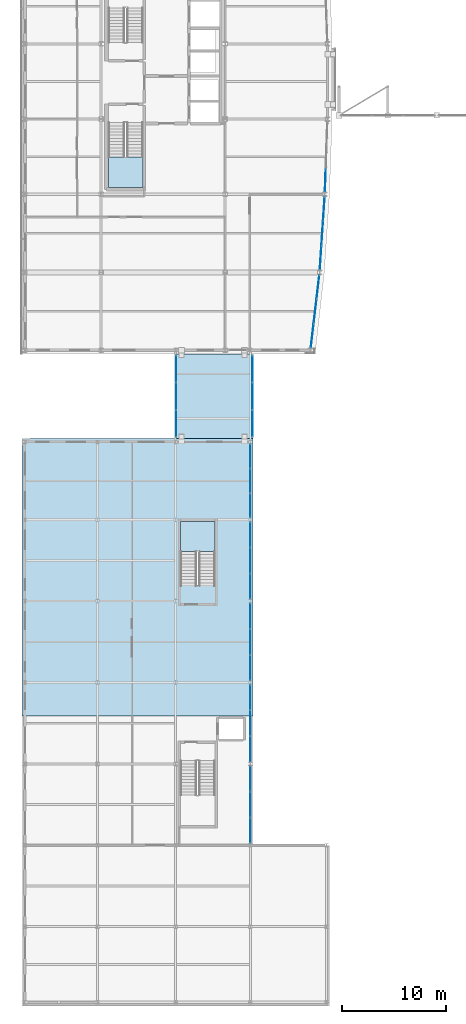
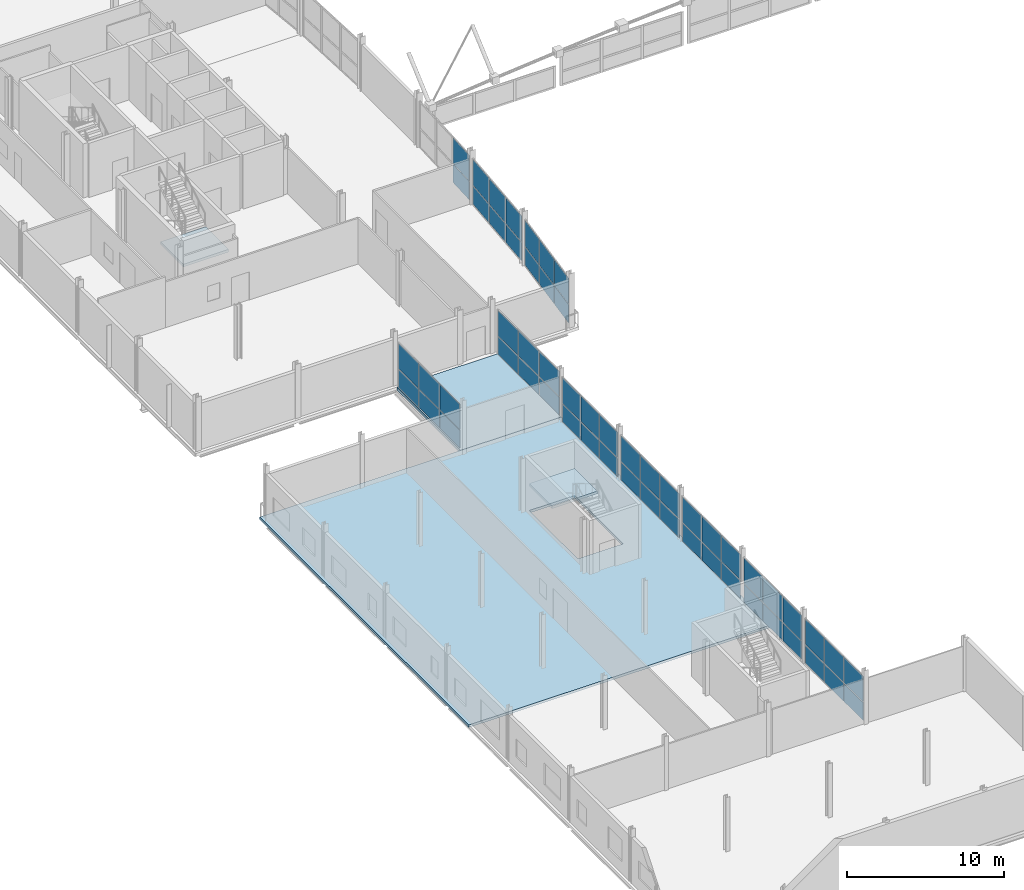
# One storey, part 42 of 60: 56 plates, 4 slabs, 12 elements without a shape of their own.
"""IFC4 building model written with IfcOpenShell, lengths in metres."""

from ifc_helpers import new_model, si_unit, direction, frame, origin, origin_2d, place, context, subcontext, project, spatial, polyline, rectangle, outline, extrude, material, layer, layer_set, type_object, element, aggregate, save


model = new_model("IFC4")

# Units and contexts
model_context = context("Model", 3, precision=1e-05, world=origin(), true_north=direction((0.0, 1.0)))
body_context = subcontext(model_context, "Body", "Model", "MODEL_VIEW")
ifc_project = project(units=[si_unit("LENGTHUNIT", "METRE"), si_unit("AREAUNIT", "SQUARE_METRE"), si_unit("VOLUMEUNIT", "CUBIC_METRE"), si_unit("PLANEANGLEUNIT", "RADIAN"), si_unit("MASSUNIT", "GRAM", prefix="KILO")], contexts=[model_context])

# Site, building, storey
site_placement = place(None, origin())
site = spatial("IfcSite", under=ifc_project, at=site_placement, CompositionType="ELEMENT")
building_placement = place(site_placement, origin())
building = spatial("IfcBuilding", under=site, at=building_placement, Name="Quillay Park Conservatory", CompositionType="ELEMENT")
storey_placement = place(building_placement, frame((0.0, 0.0, 9.89990234375)))
storey = spatial("IfcBuildingStorey", under=building, at=storey_placement, Name="L02", CompositionType="ELEMENT", Elevation=9.89990234375)

# Curtain wall, plates
ifc_material_1 = material(Name="Thermally Broken Anodised Aluminium 6063-T6", Category="aluminium")
ifc_layer_1 = layer(ifc_material_1, 0.179931640625)
ifc_layer_set_1 = layer_set([ifc_layer_1], Name="UNITISED CURTAIN WALL TOWER (Thermally Broken Anodised Aluminium 6063-T6)")
curtain_wall_type_1 = type_object("IfcCurtainWallType", Name="UNITISED CURTAIN WALL TOWER", PredefinedType="USERDEFINED", material=ifc_layer_set_1)
curtain_wall_1_placement = place(storey_placement, origin())
curtain_wall_1 = element("IfcCurtainWall", 1, at=curtain_wall_1_placement, inside=storey, type_object=curtain_wall_type_1, Name="L02 Unitised Curtain Wall 019", ObjectType="UNITISED CURTAIN WALL", PredefinedType="USERDEFINED")
ifc_material_2 = material(Name="Low-E Double Glazing (Laminated Tempered)", Category="glass")
ifc_layer_2 = layer(ifc_material_2, 0.028076171875)
ifc_layer_set_2 = layer_set([ifc_layer_2], Name="CURTAIN WALL GLAZED PANEL 28 (Low-E Double Glazing (Laminated Tempered))")
plate_type = type_object("IfcPlateType", Name="CURTAIN WALL GLAZED PANEL 28", PredefinedType="CURTAIN_PANEL", material=ifc_layer_set_2)
plate_1_placement = place(storey_placement, frame((28.636474609375, 69.108642578125, 0.0703125), z_axis=(0.0, 0.0, 1.0), x_axis=(-0.116654959918, -0.993172502804, 0.0)))
plate_1 = element("IfcPlate", 2, at=plate_1_placement, type_object=plate_type, Name="CW-T1 panel 1.1", PredefinedType="CURTAIN_PANEL", context=body_context, shape_type="SweptSolid", body=[
    extrude(rectangle(XDim=2.26220703125, YDim=0.028076171875, at=origin_2d()), origin(), (0.0, 0.0, 1.0), 1.406494140625),
])
plate_2_placement = place(storey_placement, frame((28.636474609375, 69.108642578125, 1.546630859375), z_axis=(0.0, 0.0, 1.0), x_axis=(-0.116654959918, -0.993172502804, 0.0)))
plate_2 = element("IfcPlate", 3, at=plate_2_placement, type_object=plate_type, Name="CW-T1 panel 1.2", PredefinedType="CURTAIN_PANEL", context=body_context, shape_type="SweptSolid", body=[
    extrude(rectangle(XDim=2.26220703125, YDim=0.028076171875, at=origin_2d()), origin(), (0.0, 0.0, 1.0), 1.982421875),
])
plate_3_placement = place(storey_placement, frame((28.362548828125, 66.77490234375, 0.0703125), z_axis=(0.0, 0.0, 1.0), x_axis=(-0.116654959918, -0.993172502804, 0.0)))
plate_3 = element("IfcPlate", 4, at=plate_3_placement, type_object=plate_type, Name="CW-T1 panel 2.1", PredefinedType="CURTAIN_PANEL", context=body_context, shape_type="SweptSolid", body=[
    extrude(rectangle(XDim=2.297119140625, YDim=0.028076171875, at=origin_2d()), origin(), (0.0, 0.0, 1.0), 1.406494140625),
])
plate_4_placement = place(storey_placement, frame((28.362548828125, 66.77490234375, 1.546630859375), z_axis=(0.0, 0.0, 1.0), x_axis=(-0.116654959918, -0.993172502804, 0.0)))
plate_4 = element("IfcPlate", 5, at=plate_4_placement, type_object=plate_type, Name="CW-T1 panel 2.2", PredefinedType="CURTAIN_PANEL", context=body_context, shape_type="SweptSolid", body=[
    extrude(rectangle(XDim=2.297119140625, YDim=0.028076171875, at=origin_2d()), origin(), (0.0, 0.0, 1.0), 1.982421875),
])
plate_5_placement = place(storey_placement, frame((28.08837890625, 64.44140625, 0.0703125), z_axis=(0.0, 0.0, 1.0), x_axis=(-0.116654959918, -0.993172502804, 0.0)))
plate_5 = element("IfcPlate", 6, at=plate_5_placement, type_object=plate_type, Name="CW-T1 panel 3.1", PredefinedType="CURTAIN_PANEL", context=body_context, shape_type="SweptSolid", body=[
    extrude(rectangle(XDim=2.26220703125, YDim=0.028076171875, at=origin_2d()), origin(), (0.0, 0.0, 1.0), 1.406494140625),
])
plate_6_placement = place(storey_placement, frame((28.08837890625, 64.44140625, 1.546630859375), z_axis=(0.0, 0.0, 1.0), x_axis=(-0.116654959918, -0.993172502804, 0.0)))
plate_6 = element("IfcPlate", 7, at=plate_6_placement, type_object=plate_type, Name="CW-T1 panel 3.2", PredefinedType="CURTAIN_PANEL", context=body_context, shape_type="SweptSolid", body=[
    extrude(rectangle(XDim=2.26220703125, YDim=0.028076171875, at=origin_2d()), origin(), (0.0, 0.0, 1.0), 1.982421875),
])
aggregate(curtain_wall_1, [plate_1, plate_2, plate_3, plate_4, plate_5, plate_6])

curtain_wall_2_placement = place(storey_placement, origin())
curtain_wall_2 = element("IfcCurtainWall", 8, at=curtain_wall_2_placement, inside=storey, type_object=curtain_wall_type_1, Name="L02 Unitised Curtain Wall 020", ObjectType="UNITISED CURTAIN WALL", PredefinedType="USERDEFINED")
plate_7_placement = place(storey_placement, frame((29.20654296875, 76.599365234375, 0.0703125), z_axis=(0.0, 0.0, 1.0), x_axis=(-0.0665208758, -0.997785033503, 0.0)))
plate_7 = element("IfcPlate", 9, at=plate_7_placement, type_object=plate_type, Name="CW-T1 panel 1.1", PredefinedType="CURTAIN_PANEL", context=body_context, shape_type="SweptSolid", body=[
    extrude(rectangle(XDim=2.26708984375, YDim=0.028076171875, at=origin_2d()), origin(), (0.0, 0.0, 1.0), 1.406494140625),
])
plate_8_placement = place(storey_placement, frame((29.20654296875, 76.599365234375, 1.546630859375), z_axis=(0.0, 0.0, 1.0), x_axis=(-0.0665208758, -0.997785033503, 0.0)))
plate_8 = element("IfcPlate", 10, at=plate_8_placement, type_object=plate_type, Name="CW-T1 panel 1.2", PredefinedType="CURTAIN_PANEL", context=body_context, shape_type="SweptSolid", body=[
    extrude(rectangle(XDim=2.26708984375, YDim=0.028076171875, at=origin_2d()), origin(), (0.0, 0.0, 1.0), 1.982421875),
])
plate_9_placement = place(storey_placement, frame((29.050048828125, 74.25, 0.0703125), z_axis=(0.0, 0.0, 1.0), x_axis=(-0.0665208758, -0.997785033503, 0.0)))
plate_9 = element("IfcPlate", 11, at=plate_9_placement, type_object=plate_type, Name="CW-T1 panel 2.1", PredefinedType="CURTAIN_PANEL", context=body_context, shape_type="SweptSolid", body=[
    extrude(rectangle(XDim=2.30224609375, YDim=0.028076171875, at=origin_2d()), origin(), (0.0, 0.0, 1.0), 1.406494140625),
])
plate_10_placement = place(storey_placement, frame((29.050048828125, 74.25, 1.546630859375), z_axis=(0.0, 0.0, 1.0), x_axis=(-0.0665208758, -0.997785033503, 0.0)))
plate_10 = element("IfcPlate", 12, at=plate_10_placement, type_object=plate_type, Name="CW-T1 panel 2.2", PredefinedType="CURTAIN_PANEL", context=body_context, shape_type="SweptSolid", body=[
    extrude(rectangle(XDim=2.30224609375, YDim=0.028076171875, at=origin_2d()), origin(), (0.0, 0.0, 1.0), 1.982421875),
])
plate_11_placement = place(storey_placement, frame((28.893310546875, 71.900634765625, 0.0703125), z_axis=(0.0, 0.0, 1.0), x_axis=(-0.0665208758, -0.997785033503, 0.0)))
plate_11 = element("IfcPlate", 13, at=plate_11_placement, type_object=plate_type, Name="CW-T1 panel 3.1", PredefinedType="CURTAIN_PANEL", context=body_context, shape_type="SweptSolid", body=[
    extrude(rectangle(XDim=2.26708984375, YDim=0.028076171875, at=origin_2d()), origin(), (0.0, 0.0, 1.0), 1.406494140625),
])
plate_12_placement = place(storey_placement, frame((28.893310546875, 71.900634765625, 1.546630859375), z_axis=(0.0, 0.0, 1.0), x_axis=(-0.0665208758, -0.997785033503, 0.0)))
plate_12 = element("IfcPlate", 14, at=plate_12_placement, type_object=plate_type, Name="CW-T1 panel 3.2", PredefinedType="CURTAIN_PANEL", context=body_context, shape_type="SweptSolid", body=[
    extrude(rectangle(XDim=2.26708984375, YDim=0.028076171875, at=origin_2d()), origin(), (0.0, 0.0, 1.0), 1.982421875),
])
aggregate(curtain_wall_2, [plate_7, plate_8, plate_9, plate_10, plate_11, plate_12])

curtain_wall_3_placement = place(storey_placement, origin())
curtain_wall_3 = element("IfcCurtainWall", 15, at=curtain_wall_3_placement, inside=storey, type_object=curtain_wall_type_1, Name="L02 Unitised Curtain Wall 021", ObjectType="UNITISED CURTAIN WALL", PredefinedType="USERDEFINED")
plate_13_placement = place(storey_placement, frame((29.346923828125, 79.350830078125, 0.0703125), z_axis=(0.0, 0.0, 1.0), x_axis=(-0.034713338537, -0.999397310446, 0.0)))
plate_13 = element("IfcPlate", 16, at=plate_13_placement, type_object=plate_type, Name="CW-T1 panel 3.1", PredefinedType="CURTAIN_PANEL", context=body_context, shape_type="SweptSolid", body=[
    extrude(rectangle(XDim=2.1630859375, YDim=0.028076171875, at=origin_2d()), origin(), (0.0, 0.0, 1.0), 1.406494140625),
])
plate_14_placement = place(storey_placement, frame((29.346923828125, 79.350830078125, 1.546630859375), z_axis=(0.0, 0.0, 1.0), x_axis=(-0.034713338537, -0.999397310446, 0.0)))
plate_14 = element("IfcPlate", 17, at=plate_14_placement, type_object=plate_type, Name="CW-T1 panel 3.2", PredefinedType="CURTAIN_PANEL", context=body_context, shape_type="SweptSolid", body=[
    extrude(rectangle(XDim=2.1630859375, YDim=0.028076171875, at=origin_2d()), origin(), (0.0, 0.0, 1.0), 1.982421875),
])
aggregate(curtain_wall_3, [plate_13, plate_14])

ifc_material_3 = material(Name="Thermally Broken Anodised Aluminium 6063-T6", Category="aluminium")
ifc_layer_3 = layer(ifc_material_3, 0.1650390625)
ifc_layer_set_3 = layer_set([ifc_layer_3], Name="UNITISED CURTAIN WALL PODIUM (Thermally Broken Anodised Aluminium 6063-T6)")
curtain_wall_type_2 = type_object("IfcCurtainWallType", Name="UNITISED CURTAIN WALL PODIUM", PredefinedType="USERDEFINED", material=ifc_layer_set_3)
curtain_wall_4_placement = place(storey_placement, origin())
curtain_wall_4 = element("IfcCurtainWall", 18, at=curtain_wall_4_placement, inside=storey, type_object=curtain_wall_type_2, Name="L02 Unitised Curtain Wall 205", ObjectType="UNITISED CURTAIN WALL", PredefinedType="USERDEFINED")
plate_15_placement = place(storey_placement, frame((22.14990234375, 21.975830078125, 0.070068359375), z_axis=(0.0, 0.0, 1.0), x_axis=(0.0, -1.0, 0.0)))
plate_15 = element("IfcPlate", 19, at=plate_15_placement, type_object=plate_type, Name="CW-P1 panel 1.1", PredefinedType="CURTAIN_PANEL", context=body_context, shape_type="SweptSolid", body=[
    extrude(rectangle(XDim=2.388427734375, YDim=0.028076171875, at=origin_2d()), origin(), (0.0, 0.0, 1.0), 1.3876953125),
])
plate_16_placement = place(storey_placement, frame((22.14990234375, 21.975830078125, 1.52783203125), z_axis=(0.0, 0.0, 1.0), x_axis=(0.0, -1.0, 0.0)))
plate_16 = element("IfcPlate", 20, at=plate_16_placement, type_object=plate_type, Name="CW-P1 panel 1.2", PredefinedType="CURTAIN_PANEL", context=body_context, shape_type="SweptSolid", body=[
    extrude(rectangle(XDim=2.388427734375, YDim=0.028076171875, at=origin_2d()), origin(), (0.0, 0.0, 1.0), 1.956298828125),
])
plate_17_placement = place(storey_placement, frame((22.14990234375, 19.5, 0.070068359375), z_axis=(0.0, 0.0, 1.0), x_axis=(0.0, -1.0, 0.0)))
plate_17 = element("IfcPlate", 21, at=plate_17_placement, type_object=plate_type, Name="CW-P1 panel 2.1", PredefinedType="CURTAIN_PANEL", context=body_context, shape_type="SweptSolid", body=[
    extrude(rectangle(XDim=2.42333984375, YDim=0.028076171875, at=origin_2d()), origin(), (0.0, 0.0, 1.0), 1.3876953125),
])
plate_18_placement = place(storey_placement, frame((22.14990234375, 19.5, 1.52783203125), z_axis=(0.0, 0.0, 1.0), x_axis=(0.0, -1.0, 0.0)))
plate_18 = element("IfcPlate", 22, at=plate_18_placement, type_object=plate_type, Name="CW-P1 panel 2.2", PredefinedType="CURTAIN_PANEL", context=body_context, shape_type="SweptSolid", body=[
    extrude(rectangle(XDim=2.42333984375, YDim=0.028076171875, at=origin_2d()), origin(), (0.0, 0.0, 1.0), 1.956298828125),
])
plate_19_placement = place(storey_placement, frame((22.14990234375, 17.024169921875, 0.070068359375), z_axis=(0.0, 0.0, 1.0), x_axis=(0.0, -1.0, 0.0)))
plate_19 = element("IfcPlate", 23, at=plate_19_placement, type_object=plate_type, Name="CW-P1 panel 3.1", PredefinedType="CURTAIN_PANEL", context=body_context, shape_type="SweptSolid", body=[
    extrude(rectangle(XDim=2.388427734375, YDim=0.028076171875, at=origin_2d()), origin(), (0.0, 0.0, 1.0), 1.3876953125),
])
plate_20_placement = place(storey_placement, frame((22.14990234375, 17.024169921875, 1.52783203125), z_axis=(0.0, 0.0, 1.0), x_axis=(0.0, -1.0, 0.0)))
plate_20 = element("IfcPlate", 24, at=plate_20_placement, type_object=plate_type, Name="CW-P1 panel 3.2", PredefinedType="CURTAIN_PANEL", context=body_context, shape_type="SweptSolid", body=[
    extrude(rectangle(XDim=2.388427734375, YDim=0.028076171875, at=origin_2d()), origin(), (0.0, 0.0, 1.0), 1.956298828125),
])
aggregate(curtain_wall_4, [plate_15, plate_16, plate_17, plate_18, plate_19, plate_20])

curtain_wall_5_placement = place(storey_placement, origin())
curtain_wall_5 = element("IfcCurtainWall", 25, at=curtain_wall_5_placement, inside=storey, type_object=curtain_wall_type_2, Name="L02 Unitised Curtain Wall 206", ObjectType="UNITISED CURTAIN WALL", PredefinedType="USERDEFINED")
plate_21_placement = place(storey_placement, frame((22.14990234375, 29.77587890625, 0.070068359375), z_axis=(0.0, 0.0, 1.0), x_axis=(0.0, -1.0, 0.0)))
plate_21 = element("IfcPlate", 26, at=plate_21_placement, type_object=plate_type, Name="CW-P1 panel 1.1", PredefinedType="CURTAIN_PANEL", context=body_context, shape_type="SweptSolid", body=[
    extrude(rectangle(XDim=2.388427734375, YDim=0.028076171875, at=origin_2d()), origin(), (0.0, 0.0, 1.0), 1.3876953125),
])
plate_22_placement = place(storey_placement, frame((22.14990234375, 29.77587890625, 1.52783203125), z_axis=(0.0, 0.0, 1.0), x_axis=(0.0, -1.0, 0.0)))
plate_22 = element("IfcPlate", 27, at=plate_22_placement, type_object=plate_type, Name="CW-P1 panel 1.2", PredefinedType="CURTAIN_PANEL", context=body_context, shape_type="SweptSolid", body=[
    extrude(rectangle(XDim=2.388427734375, YDim=0.028076171875, at=origin_2d()), origin(), (0.0, 0.0, 1.0), 1.956298828125),
])
plate_23_placement = place(storey_placement, frame((22.14990234375, 27.300048828125, 0.070068359375), z_axis=(0.0, 0.0, 1.0), x_axis=(0.0, -1.0, 0.0)))
plate_23 = element("IfcPlate", 28, at=plate_23_placement, type_object=plate_type, Name="CW-P1 panel 2.1", PredefinedType="CURTAIN_PANEL", context=body_context, shape_type="SweptSolid", body=[
    extrude(rectangle(XDim=2.42333984375, YDim=0.028076171875, at=origin_2d()), origin(), (0.0, 0.0, 1.0), 1.3876953125),
])
plate_24_placement = place(storey_placement, frame((22.14990234375, 27.300048828125, 1.52783203125), z_axis=(0.0, 0.0, 1.0), x_axis=(0.0, -1.0, 0.0)))
plate_24 = element("IfcPlate", 29, at=plate_24_placement, type_object=plate_type, Name="CW-P1 panel 2.2", PredefinedType="CURTAIN_PANEL", context=body_context, shape_type="SweptSolid", body=[
    extrude(rectangle(XDim=2.42333984375, YDim=0.028076171875, at=origin_2d()), origin(), (0.0, 0.0, 1.0), 1.956298828125),
])
plate_25_placement = place(storey_placement, frame((22.14990234375, 24.82421875, 0.070068359375), z_axis=(0.0, 0.0, 1.0), x_axis=(0.0, -1.0, 0.0)))
plate_25 = element("IfcPlate", 30, at=plate_25_placement, type_object=plate_type, Name="CW-P1 panel 3.1", PredefinedType="CURTAIN_PANEL", context=body_context, shape_type="SweptSolid", body=[
    extrude(rectangle(XDim=2.388427734375, YDim=0.028076171875, at=origin_2d()), origin(), (0.0, 0.0, 1.0), 1.3876953125),
])
plate_26_placement = place(storey_placement, frame((22.14990234375, 24.82421875, 1.52783203125), z_axis=(0.0, 0.0, 1.0), x_axis=(0.0, -1.0, 0.0)))
plate_26 = element("IfcPlate", 31, at=plate_26_placement, type_object=plate_type, Name="CW-P1 panel 3.2", PredefinedType="CURTAIN_PANEL", context=body_context, shape_type="SweptSolid", body=[
    extrude(rectangle(XDim=2.388427734375, YDim=0.028076171875, at=origin_2d()), origin(), (0.0, 0.0, 1.0), 1.956298828125),
])
aggregate(curtain_wall_5, [plate_21, plate_22, plate_23, plate_24, plate_25, plate_26])

curtain_wall_6_placement = place(storey_placement, origin())
curtain_wall_6 = element("IfcCurtainWall", 32, at=curtain_wall_6_placement, inside=storey, type_object=curtain_wall_type_2, Name="L02 Unitised Curtain Wall 207", ObjectType="UNITISED CURTAIN WALL", PredefinedType="USERDEFINED")
plate_27_placement = place(storey_placement, frame((22.14990234375, 37.575927734375, 0.070068359375), z_axis=(0.0, 0.0, 1.0), x_axis=(0.0, -1.0, 0.0)))
plate_27 = element("IfcPlate", 33, at=plate_27_placement, type_object=plate_type, Name="CW-P1 panel 1.1", PredefinedType="CURTAIN_PANEL", context=body_context, shape_type="SweptSolid", body=[
    extrude(rectangle(XDim=2.388427734375, YDim=0.028076171875, at=origin_2d()), origin(), (0.0, 0.0, 1.0), 1.3876953125),
])
plate_28_placement = place(storey_placement, frame((22.14990234375, 37.575927734375, 1.52783203125), z_axis=(0.0, 0.0, 1.0), x_axis=(0.0, -1.0, 0.0)))
plate_28 = element("IfcPlate", 34, at=plate_28_placement, type_object=plate_type, Name="CW-P1 panel 1.2", PredefinedType="CURTAIN_PANEL", context=body_context, shape_type="SweptSolid", body=[
    extrude(rectangle(XDim=2.388427734375, YDim=0.028076171875, at=origin_2d()), origin(), (0.0, 0.0, 1.0), 1.956298828125),
])
plate_29_placement = place(storey_placement, frame((22.14990234375, 35.10009765625, 0.070068359375), z_axis=(0.0, 0.0, 1.0), x_axis=(0.0, -1.0, 0.0)))
plate_29 = element("IfcPlate", 35, at=plate_29_placement, type_object=plate_type, Name="CW-P1 panel 2.1", PredefinedType="CURTAIN_PANEL", context=body_context, shape_type="SweptSolid", body=[
    extrude(rectangle(XDim=2.42333984375, YDim=0.028076171875, at=origin_2d()), origin(), (0.0, 0.0, 1.0), 1.3876953125),
])
plate_30_placement = place(storey_placement, frame((22.14990234375, 35.10009765625, 1.52783203125), z_axis=(0.0, 0.0, 1.0), x_axis=(0.0, -1.0, 0.0)))
plate_30 = element("IfcPlate", 36, at=plate_30_placement, type_object=plate_type, Name="CW-P1 panel 2.2", PredefinedType="CURTAIN_PANEL", context=body_context, shape_type="SweptSolid", body=[
    extrude(rectangle(XDim=2.42333984375, YDim=0.028076171875, at=origin_2d()), origin(), (0.0, 0.0, 1.0), 1.956298828125),
])
plate_31_placement = place(storey_placement, frame((22.14990234375, 32.624267578125, 0.070068359375), z_axis=(0.0, 0.0, 1.0), x_axis=(0.0, -1.0, 0.0)))
plate_31 = element("IfcPlate", 37, at=plate_31_placement, type_object=plate_type, Name="CW-P1 panel 3.1", PredefinedType="CURTAIN_PANEL", context=body_context, shape_type="SweptSolid", body=[
    extrude(rectangle(XDim=2.388427734375, YDim=0.028076171875, at=origin_2d()), origin(), (0.0, 0.0, 1.0), 1.3876953125),
])
plate_32_placement = place(storey_placement, frame((22.14990234375, 32.624267578125, 1.52783203125), z_axis=(0.0, 0.0, 1.0), x_axis=(0.0, -1.0, 0.0)))
plate_32 = element("IfcPlate", 38, at=plate_32_placement, type_object=plate_type, Name="CW-P1 panel 3.2", PredefinedType="CURTAIN_PANEL", context=body_context, shape_type="SweptSolid", body=[
    extrude(rectangle(XDim=2.388427734375, YDim=0.028076171875, at=origin_2d()), origin(), (0.0, 0.0, 1.0), 1.956298828125),
])
aggregate(curtain_wall_6, [plate_27, plate_28, plate_29, plate_30, plate_31, plate_32])

curtain_wall_7_placement = place(storey_placement, origin())
curtain_wall_7 = element("IfcCurtainWall", 39, at=curtain_wall_7_placement, inside=storey, type_object=curtain_wall_type_2, Name="L02 Unitised Curtain Wall 208", ObjectType="UNITISED CURTAIN WALL", PredefinedType="USERDEFINED")
plate_33_placement = place(storey_placement, frame((22.14990234375, 45.375732421875, 0.070068359375), z_axis=(0.0, 0.0, 1.0), x_axis=(0.0, -1.0, 0.0)))
plate_33 = element("IfcPlate", 40, at=plate_33_placement, type_object=plate_type, Name="CW-P1 panel 1.1", PredefinedType="CURTAIN_PANEL", context=body_context, shape_type="SweptSolid", body=[
    extrude(rectangle(XDim=2.388427734375, YDim=0.028076171875, at=origin_2d()), origin(), (0.0, 0.0, 1.0), 1.3876953125),
])
plate_34_placement = place(storey_placement, frame((22.14990234375, 45.375732421875, 1.52783203125), z_axis=(0.0, 0.0, 1.0), x_axis=(0.0, -1.0, 0.0)))
plate_34 = element("IfcPlate", 41, at=plate_34_placement, type_object=plate_type, Name="CW-P1 panel 1.2", PredefinedType="CURTAIN_PANEL", context=body_context, shape_type="SweptSolid", body=[
    extrude(rectangle(XDim=2.388427734375, YDim=0.028076171875, at=origin_2d()), origin(), (0.0, 0.0, 1.0), 1.956298828125),
])
plate_35_placement = place(storey_placement, frame((22.14990234375, 42.89990234375, 0.070068359375), z_axis=(0.0, 0.0, 1.0), x_axis=(0.0, -1.0, 0.0)))
plate_35 = element("IfcPlate", 42, at=plate_35_placement, type_object=plate_type, Name="CW-P1 panel 2.1", PredefinedType="CURTAIN_PANEL", context=body_context, shape_type="SweptSolid", body=[
    extrude(rectangle(XDim=2.42333984375, YDim=0.028076171875, at=origin_2d()), origin(), (0.0, 0.0, 1.0), 1.3876953125),
])
plate_36_placement = place(storey_placement, frame((22.14990234375, 42.89990234375, 1.52783203125), z_axis=(0.0, 0.0, 1.0), x_axis=(0.0, -1.0, 0.0)))
plate_36 = element("IfcPlate", 43, at=plate_36_placement, type_object=plate_type, Name="CW-P1 panel 2.2", PredefinedType="CURTAIN_PANEL", context=body_context, shape_type="SweptSolid", body=[
    extrude(rectangle(XDim=2.42333984375, YDim=0.028076171875, at=origin_2d()), origin(), (0.0, 0.0, 1.0), 1.956298828125),
])
plate_37_placement = place(storey_placement, frame((22.14990234375, 40.424072265625, 0.070068359375), z_axis=(0.0, 0.0, 1.0), x_axis=(0.0, -1.0, 0.0)))
plate_37 = element("IfcPlate", 44, at=plate_37_placement, type_object=plate_type, Name="CW-P1 panel 3.1", PredefinedType="CURTAIN_PANEL", context=body_context, shape_type="SweptSolid", body=[
    extrude(rectangle(XDim=2.388427734375, YDim=0.028076171875, at=origin_2d()), origin(), (0.0, 0.0, 1.0), 1.3876953125),
])
plate_38_placement = place(storey_placement, frame((22.14990234375, 40.424072265625, 1.52783203125), z_axis=(0.0, 0.0, 1.0), x_axis=(0.0, -1.0, 0.0)))
plate_38 = element("IfcPlate", 45, at=plate_38_placement, type_object=plate_type, Name="CW-P1 panel 3.2", PredefinedType="CURTAIN_PANEL", context=body_context, shape_type="SweptSolid", body=[
    extrude(rectangle(XDim=2.388427734375, YDim=0.028076171875, at=origin_2d()), origin(), (0.0, 0.0, 1.0), 1.956298828125),
])
aggregate(curtain_wall_7, [plate_33, plate_34, plate_35, plate_36, plate_37, plate_38])

curtain_wall_8_placement = place(storey_placement, origin())
curtain_wall_8 = element("IfcCurtainWall", 46, at=curtain_wall_8_placement, inside=storey, type_object=curtain_wall_type_2, Name="L02 Unitised Curtain Wall 209", ObjectType="UNITISED CURTAIN WALL", PredefinedType="USERDEFINED")
plate_39_placement = place(storey_placement, frame((22.14990234375, 52.88427734375, 0.070068359375), z_axis=(0.0, 0.0, 1.0), x_axis=(0.0, -1.0, 0.0)))
plate_39 = element("IfcPlate", 47, at=plate_39_placement, type_object=plate_type, Name="CW-P1 panel 1.1", PredefinedType="CURTAIN_PANEL", context=body_context, shape_type="SweptSolid", body=[
    extrude(rectangle(XDim=2.271728515625, YDim=0.028076171875, at=origin_2d()), origin(), (0.0, 0.0, 1.0), 1.3876953125),
])
plate_40_placement = place(storey_placement, frame((22.14990234375, 52.88427734375, 1.52783203125), z_axis=(0.0, 0.0, 1.0), x_axis=(0.0, -1.0, 0.0)))
plate_40 = element("IfcPlate", 48, at=plate_40_placement, type_object=plate_type, Name="CW-P1 panel 1.2", PredefinedType="CURTAIN_PANEL", context=body_context, shape_type="SweptSolid", body=[
    extrude(rectangle(XDim=2.271728515625, YDim=0.028076171875, at=origin_2d()), origin(), (0.0, 0.0, 1.0), 1.956298828125),
])
plate_41_placement = place(storey_placement, frame((22.14990234375, 50.52490234375, 0.070068359375), z_axis=(0.0, 0.0, 1.0), x_axis=(0.0, -1.0, 0.0)))
plate_41 = element("IfcPlate", 49, at=plate_41_placement, type_object=plate_type, Name="CW-P1 panel 2.1", PredefinedType="CURTAIN_PANEL", context=body_context, shape_type="SweptSolid", body=[
    extrude(rectangle(XDim=2.306640625, YDim=0.028076171875, at=origin_2d()), origin(), (0.0, 0.0, 1.0), 1.3876953125),
])
plate_42_placement = place(storey_placement, frame((22.14990234375, 50.52490234375, 1.52783203125), z_axis=(0.0, 0.0, 1.0), x_axis=(0.0, -1.0, 0.0)))
plate_42 = element("IfcPlate", 50, at=plate_42_placement, type_object=plate_type, Name="CW-P1 panel 2.2", PredefinedType="CURTAIN_PANEL", context=body_context, shape_type="SweptSolid", body=[
    extrude(rectangle(XDim=2.306640625, YDim=0.028076171875, at=origin_2d()), origin(), (0.0, 0.0, 1.0), 1.956298828125),
])
plate_43_placement = place(storey_placement, frame((22.14990234375, 48.165771484375, 0.070068359375), z_axis=(0.0, 0.0, 1.0), x_axis=(0.0, -1.0, 0.0)))
plate_43 = element("IfcPlate", 51, at=plate_43_placement, type_object=plate_type, Name="CW-P1 panel 3.1", PredefinedType="CURTAIN_PANEL", context=body_context, shape_type="SweptSolid", body=[
    extrude(rectangle(XDim=2.271728515625, YDim=0.028076171875, at=origin_2d()), origin(), (0.0, 0.0, 1.0), 1.3876953125),
])
plate_44_placement = place(storey_placement, frame((22.14990234375, 48.165771484375, 1.52783203125), z_axis=(0.0, 0.0, 1.0), x_axis=(0.0, -1.0, 0.0)))
plate_44 = element("IfcPlate", 52, at=plate_44_placement, type_object=plate_type, Name="CW-P1 panel 3.2", PredefinedType="CURTAIN_PANEL", context=body_context, shape_type="SweptSolid", body=[
    extrude(rectangle(XDim=2.271728515625, YDim=0.028076171875, at=origin_2d()), origin(), (0.0, 0.0, 1.0), 1.956298828125),
])
aggregate(curtain_wall_8, [plate_39, plate_40, plate_41, plate_42, plate_43, plate_44])

ifc_material_4 = material(Name="Thermally Broken Anodised Aluminium 6063-T6", Category="aluminium")
ifc_layer_4 = layer(ifc_material_4, 0.155029296875)
ifc_layer_set_4 = layer_set([ifc_layer_4], Name="UNITISED CURTAIN WALL BRIDGE (Thermally Broken Anodised Aluminium 6063-T6)")
curtain_wall_type_3 = type_object("IfcCurtainWallType", Name="UNITISED CURTAIN WALL BRIDGE", PredefinedType="USERDEFINED", material=ifc_layer_set_4)
curtain_wall_9_placement = place(storey_placement, origin())
curtain_wall_9 = element("IfcCurtainWall", 53, at=curtain_wall_9_placement, inside=storey, type_object=curtain_wall_type_3, Name="L02 Unitised Curtain Wall 217", ObjectType="UNITISED CURTAIN WALL", PredefinedType="USERDEFINED")
plate_45_placement = place(storey_placement, frame((15.050048828125, 56.0341796875, 0.070068359375), z_axis=(0.0, 0.0, 1.0), x_axis=(0.0, 1.0, 0.0)))
plate_45 = element("IfcPlate", 54, at=plate_45_placement, type_object=plate_type, Name="CW-B1 panel 1.1", PredefinedType="CURTAIN_PANEL", context=body_context, shape_type="SweptSolid", body=[
    extrude(rectangle(XDim=2.5283203125, YDim=0.028076171875, at=origin_2d()), origin(), (0.0, 0.0, 1.0), 1.375),
])
plate_46_placement = place(storey_placement, frame((15.050048828125, 56.0341796875, 1.51513671875), z_axis=(0.0, 0.0, 1.0), x_axis=(0.0, 1.0, 0.0)))
plate_46 = element("IfcPlate", 55, at=plate_46_placement, type_object=plate_type, Name="CW-B1 panel 1.2", PredefinedType="CURTAIN_PANEL", context=body_context, shape_type="SweptSolid", body=[
    extrude(rectangle(XDim=2.5283203125, YDim=0.028076171875, at=origin_2d()), origin(), (0.0, 0.0, 1.0), 1.93896484375),
])
plate_47_placement = place(storey_placement, frame((15.050048828125, 58.64990234375, 0.070068359375), z_axis=(0.0, 0.0, 1.0), x_axis=(0.0, 1.0, 0.0)))
plate_47 = element("IfcPlate", 56, at=plate_47_placement, type_object=plate_type, Name="CW-B1 panel 2.1", PredefinedType="CURTAIN_PANEL", context=body_context, shape_type="SweptSolid", body=[
    extrude(rectangle(XDim=2.563232421875, YDim=0.028076171875, at=origin_2d()), origin(), (0.0, 0.0, 1.0), 1.375),
])
plate_48_placement = place(storey_placement, frame((15.050048828125, 58.64990234375, 1.51513671875), z_axis=(0.0, 0.0, 1.0), x_axis=(0.0, 1.0, 0.0)))
plate_48 = element("IfcPlate", 57, at=plate_48_placement, type_object=plate_type, Name="CW-B1 panel 2.2", PredefinedType="CURTAIN_PANEL", context=body_context, shape_type="SweptSolid", body=[
    extrude(rectangle(XDim=2.563232421875, YDim=0.028076171875, at=origin_2d()), origin(), (0.0, 0.0, 1.0), 1.93896484375),
])
plate_49_placement = place(storey_placement, frame((15.050048828125, 61.265869140625, 0.070068359375), z_axis=(0.0, 0.0, 1.0), x_axis=(0.0, 1.0, 0.0)))
plate_49 = element("IfcPlate", 58, at=plate_49_placement, type_object=plate_type, Name="CW-B1 panel 3.1", PredefinedType="CURTAIN_PANEL", context=body_context, shape_type="SweptSolid", body=[
    extrude(rectangle(XDim=2.5283203125, YDim=0.028076171875, at=origin_2d()), origin(), (0.0, 0.0, 1.0), 1.375),
])
plate_50_placement = place(storey_placement, frame((15.050048828125, 61.265869140625, 1.51513671875), z_axis=(0.0, 0.0, 1.0), x_axis=(0.0, 1.0, 0.0)))
plate_50 = element("IfcPlate", 59, at=plate_50_placement, type_object=plate_type, Name="CW-B1 panel 3.2", PredefinedType="CURTAIN_PANEL", context=body_context, shape_type="SweptSolid", body=[
    extrude(rectangle(XDim=2.5283203125, YDim=0.028076171875, at=origin_2d()), origin(), (0.0, 0.0, 1.0), 1.93896484375),
])
aggregate(curtain_wall_9, [plate_45, plate_46, plate_47, plate_48, plate_49, plate_50])

curtain_wall_10_placement = place(storey_placement, origin())
curtain_wall_10 = element("IfcCurtainWall", 60, at=curtain_wall_10_placement, inside=storey, type_object=curtain_wall_type_3, Name="L02 Unitised Curtain Wall 218", ObjectType="UNITISED CURTAIN WALL", PredefinedType="USERDEFINED")
plate_51_placement = place(storey_placement, frame((22.35009765625, 61.265869140625, 0.070068359375), z_axis=(0.0, 0.0, 1.0), x_axis=(0.0, -1.0, 0.0)))
plate_51 = element("IfcPlate", 61, at=plate_51_placement, type_object=plate_type, Name="CW-B1 panel 1.1", PredefinedType="CURTAIN_PANEL", context=body_context, shape_type="SweptSolid", body=[
    extrude(rectangle(XDim=2.5283203125, YDim=0.028076171875, at=origin_2d()), origin(), (0.0, 0.0, 1.0), 1.375),
])
plate_52_placement = place(storey_placement, frame((22.35009765625, 61.265869140625, 1.51513671875), z_axis=(0.0, 0.0, 1.0), x_axis=(0.0, -1.0, 0.0)))
plate_52 = element("IfcPlate", 62, at=plate_52_placement, type_object=plate_type, Name="CW-B1 panel 1.2", PredefinedType="CURTAIN_PANEL", context=body_context, shape_type="SweptSolid", body=[
    extrude(rectangle(XDim=2.5283203125, YDim=0.028076171875, at=origin_2d()), origin(), (0.0, 0.0, 1.0), 1.93896484375),
])
plate_53_placement = place(storey_placement, frame((22.35009765625, 58.64990234375, 0.070068359375), z_axis=(0.0, 0.0, 1.0), x_axis=(0.0, -1.0, 0.0)))
plate_53 = element("IfcPlate", 63, at=plate_53_placement, type_object=plate_type, Name="CW-B1 panel 2.1", PredefinedType="CURTAIN_PANEL", context=body_context, shape_type="SweptSolid", body=[
    extrude(rectangle(XDim=2.563232421875, YDim=0.028076171875, at=origin_2d()), origin(), (0.0, 0.0, 1.0), 1.375),
])
plate_54_placement = place(storey_placement, frame((22.35009765625, 58.64990234375, 1.51513671875), z_axis=(0.0, 0.0, 1.0), x_axis=(0.0, -1.0, 0.0)))
plate_54 = element("IfcPlate", 64, at=plate_54_placement, type_object=plate_type, Name="CW-B1 panel 2.2", PredefinedType="CURTAIN_PANEL", context=body_context, shape_type="SweptSolid", body=[
    extrude(rectangle(XDim=2.563232421875, YDim=0.028076171875, at=origin_2d()), origin(), (0.0, 0.0, 1.0), 1.93896484375),
])
plate_55_placement = place(storey_placement, frame((22.35009765625, 56.0341796875, 0.070068359375), z_axis=(0.0, 0.0, 1.0), x_axis=(0.0, -1.0, 0.0)))
plate_55 = element("IfcPlate", 65, at=plate_55_placement, type_object=plate_type, Name="CW-B1 panel 3.1", PredefinedType="CURTAIN_PANEL", context=body_context, shape_type="SweptSolid", body=[
    extrude(rectangle(XDim=2.5283203125, YDim=0.028076171875, at=origin_2d()), origin(), (0.0, 0.0, 1.0), 1.375),
])
plate_56_placement = place(storey_placement, frame((22.35009765625, 56.0341796875, 1.51513671875), z_axis=(0.0, 0.0, 1.0), x_axis=(0.0, -1.0, 0.0)))
plate_56 = element("IfcPlate", 66, at=plate_56_placement, type_object=plate_type, Name="CW-B1 panel 3.2", PredefinedType="CURTAIN_PANEL", context=body_context, shape_type="SweptSolid", body=[
    extrude(rectangle(XDim=2.5283203125, YDim=0.028076171875, at=origin_2d()), origin(), (0.0, 0.0, 1.0), 1.93896484375),
])
aggregate(curtain_wall_10, [plate_51, plate_52, plate_53, plate_54, plate_55, plate_56])

# Stair, slab
ifc_material_5 = material(Name="Concrete C35/45 (NCh170 Concrete C35/45)", Category="concrete")
stair_type = type_object("IfcStairType", Name="ENCLOSED DOG LEG STAIR 4200", PredefinedType="HALF_TURN_STAIR", material=ifc_material_5)
stair_1_placement = place(storey_placement, origin())
stair_1 = element("IfcStair", 67, at=stair_1_placement, inside=storey, type_object=stair_type, Name="L02 Tower Protected Exit Stair 2", PredefinedType="HALF_TURN_STAIR")
ifc_material_6 = material(Name="Concrete C35/45 (NCh170 Concrete C35/45)", Category="concrete")
ifc_layer_5 = layer(ifc_material_6, 0.199951171875)
ifc_layer_set_5 = layer_set([ifc_layer_5], Name="STAIR LANDING SLAB 200 (Concrete C35/45 (NCh170 Concrete C35/45))")
slab_type_1 = type_object("IfcSlabType", Name="STAIR LANDING SLAB 200", PredefinedType="LANDING", material=ifc_layer_set_5)
slab_1_placement = place(storey_placement, frame((0.0, 0.0, 1.900146484375)))
slab_1 = element("IfcSlab", 68, at=slab_1_placement, type_object=slab_type_1, Name="ST-T2 landing 1", PredefinedType="LANDING", context=body_context, shape_type="SweptSolid", body=[
    extrude(outline(polyline([(8.550048828125, 81.550048828125), (8.550048828125, 78.64990234375), (11.8701171875, 78.64990234375), (11.8701171875, 81.550048828125), (8.550048828125, 81.550048828125)])), origin(), (0.0, 0.0, 1.0), 0.199951171875),
])
aggregate(stair_1, [slab_1])

stair_2_placement = place(storey_placement, origin())
stair_2 = element("IfcStair", 69, at=stair_2_placement, inside=storey, type_object=stair_type, Name="L02 Visitor Centre Exit Stair 2", PredefinedType="HALF_TURN_STAIR")
slab_2_placement = place(storey_placement, frame((0.0, 0.0, 1.900146484375)))
slab_2 = element("IfcSlab", 70, at=slab_2_placement, type_object=slab_type_1, Name="ST-V2 landing 1", PredefinedType="LANDING", context=body_context, shape_type="SweptSolid", body=[
    extrude(outline(polyline([(18.77001953125, 43.75), (18.77001953125, 46.64990234375), (15.449951171875, 46.64990234375), (15.449951171875, 43.75), (18.77001953125, 43.75)])), origin(), (0.0, 0.0, 1.0), 0.199951171875),
])
aggregate(stair_2, [slab_2])

# Slabs
ifc_material_7 = material(Name="Concrete C35/45 (NCh170 Concrete C35/45)", Category="concrete")
ifc_layer_6 = layer(ifc_material_7, 0.195068359375)
ifc_layer_set_6 = layer_set([ifc_layer_6], Name="SUSPENDED FLOOR SLAB 195 (Concrete C35/45 (NCh170 Concrete C35/45))")
slab_type_2 = type_object("IfcSlabType", Name="SUSPENDED FLOOR SLAB 195", PredefinedType="FLOOR", material=ifc_layer_set_6)
slab_3_placement = place(storey_placement, frame((0.0, 0.0, -0.19482421875)))
element("IfcSlab", 71, at=slab_3_placement, inside=storey, type_object=slab_type_2, Name="L02 slab SLB-V3-L02-N", PredefinedType="FLOOR", context=body_context, shape_type="SweptSolid", body=[
    extrude(outline(polyline([(0.25, 28.0), (22.39990234375, 28.0), (22.39990234375, 54.60009765625), (0.25, 54.60009765625), (0.25, 28.0)]), holes=[polyline([(15.449951171875, 40.47998046875), (18.77001953125, 40.47998046875), (18.77001953125, 46.64990234375), (15.449951171875, 46.64990234375), (15.449951171875, 40.47998046875)])]), origin(), (0.0, 0.0, 1.0), 0.19482421875),
])
ifc_material_8 = material(Name="Concrete C35/45 (NCh170 Concrete C35/45)", Category="concrete")
ifc_layer_7 = layer(ifc_material_8, 0.219970703125)
ifc_layer_set_7 = layer_set([ifc_layer_7], Name="SUSPENDED FLOOR SLAB 220 (Concrete C35/45 (NCh170 Concrete C35/45))")
slab_type_3 = type_object("IfcSlabType", Name="SUSPENDED FLOOR SLAB 220", PredefinedType="FLOOR", material=ifc_layer_set_7)
slab_4_placement = place(storey_placement, frame((0.0, 0.0, -0.219970703125)))
element("IfcSlab", 72, at=slab_4_placement, inside=storey, type_object=slab_type_3, Name="L02 Seismic Link Bridge LB-1 Floor Slab", PredefinedType="FLOOR", context=body_context, shape_type="SweptSolid", body=[
    extrude(outline(polyline([(15.0, 54.60009765625), (22.39990234375, 54.60009765625), (22.39990234375, 62.699951171875), (15.0, 62.699951171875), (15.0, 54.60009765625)])), origin(), (0.0, 0.0, 1.0), 0.219970703125),
])

save(model, "model.ifc")
